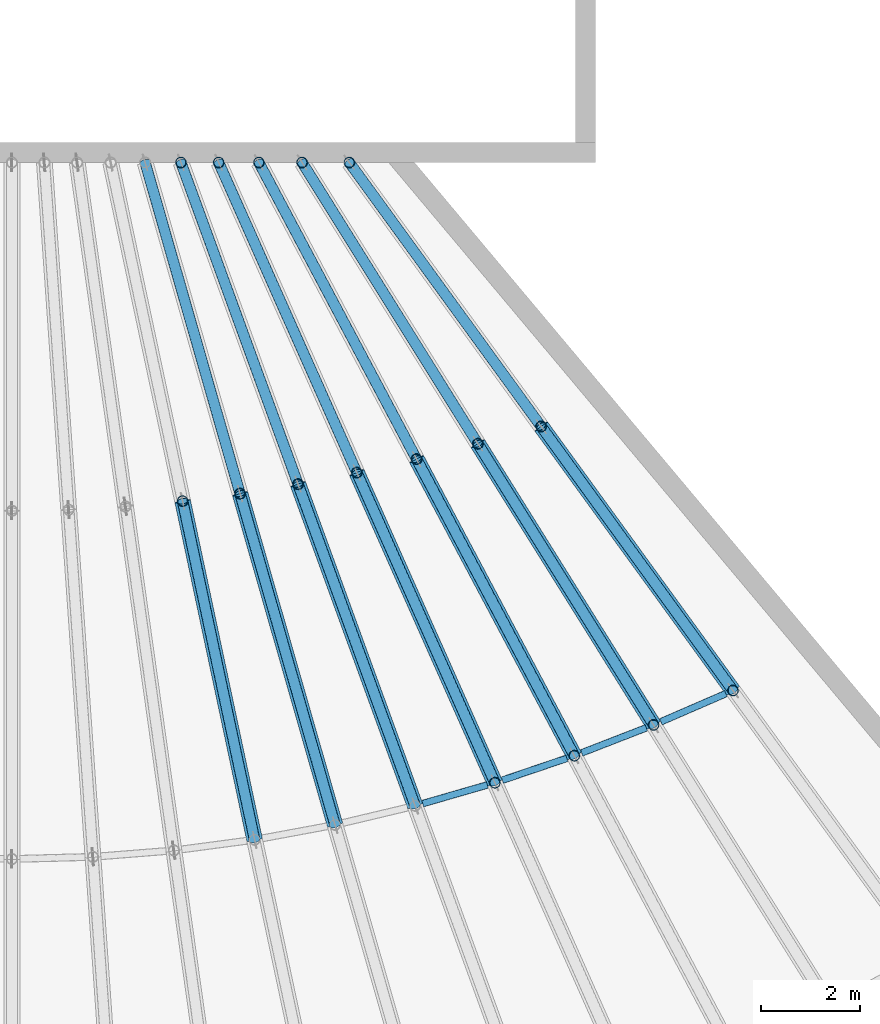
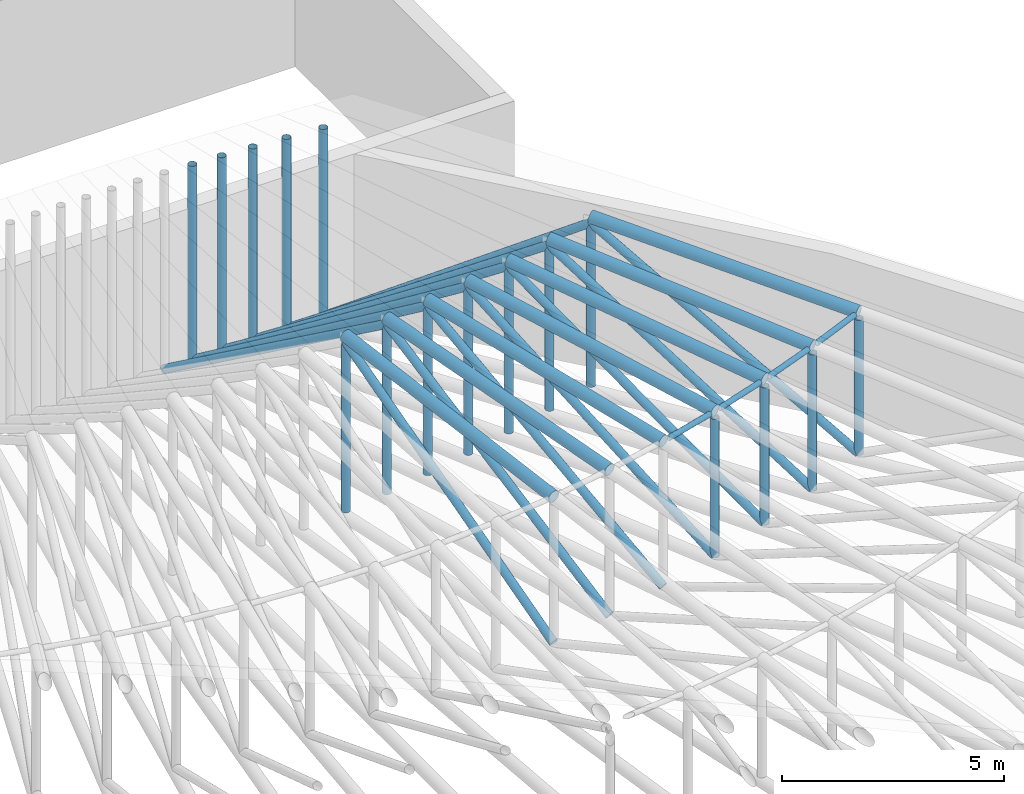
# One storey, part 44 of 163: 40 members.
"""IFC4 building model written with IfcOpenShell, lengths in metres."""

from ifc_helpers import new_model, si_unit, direction, frame, origin, origin_2d, place, context, subcontext, project, spatial, hollow_circle, extrude, material, material_profile, profile_set, type_object, element, save


model = new_model("IFC4")

# Units and contexts
model_context = context("Model", 3, precision=1e-05, world=origin(), true_north=direction((0.0, 1.0)))
body_context = subcontext(model_context, "Body", "Model", "MODEL_VIEW")
ifc_project = project(units=[si_unit("LENGTHUNIT", "METRE"), si_unit("AREAUNIT", "SQUARE_METRE"), si_unit("VOLUMEUNIT", "CUBIC_METRE"), si_unit("PLANEANGLEUNIT", "RADIAN"), si_unit("MASSUNIT", "GRAM", prefix="KILO")], contexts=[model_context])

# Site, building, storey
site_placement = place(None, origin())
site = spatial("IfcSite", under=ifc_project, at=site_placement, CompositionType="ELEMENT")
building_placement = place(site_placement, origin())
building = spatial("IfcBuilding", under=site, at=building_placement, Name="Rain Tree Exposition and Congress Centre", CompositionType="ELEMENT")
storey_placement = place(building_placement, frame((0.0, 0.0, 10.5)))
storey = spatial("IfcBuildingStorey", under=building, at=storey_placement, Name="L02", CompositionType="ELEMENT", Elevation=10.5)

# Members
ifc_material_1 = material(Name="Steel S355J2H", Category="steel")
ifc_material_profile_1 = material_profile(ifc_material_1, hollow_circle(Radius=0.108154296875, WallThickness=0.008056640625, at=origin_2d()), Name="CHS 216x8")
ifc_profile_set_1 = profile_set([ifc_material_profile_1], Name="Steel S355J2H")
member_type_1 = type_object("IfcMemberType", Name="Steel brace member CHS 216x8", PredefinedType="BRACE", material=ifc_profile_set_1)
member_1_placement = place(storey_placement, frame((206.506591796875, 44.11572265625, 0.318603515625), z_axis=(-0.173266889269, 0.815206035302, 0.552646093889), x_axis=(-0.978150163492, -0.207899633622, 0.0)))
element("IfcMember", 1, at=member_1_placement, inside=storey, type_object=member_type_1, Name="TD13-5", PredefinedType="BRACE", context=body_context, shape_type="SweptSolid", body=[
    extrude(hollow_circle(Radius=0.108154296875, WallThickness=0.008056640625, at=origin_2d()), origin(), (0.0, 0.0, 1.0), 8.3994140625),
])
for number, where, z_axis, x_axis, name in (
    (2, (208.1328125, 44.4169921875, 0.318603515625), (-0.229607032043, 0.800749050464, 0.553246390876), (-0.961262988359, -0.275632848571, 0.0), "TD14-5"),
    (3, (206.212646484375, 51.113525390625, 4.9453125), (-0.229607032043, 0.800749050464, -0.553246390876), (-0.961262988359, -0.275632848571, 0.0), "TD14-6"),
):
    element("IfcMember", number, at=place(storey_placement, frame(where, z_axis=z_axis, x_axis=x_axis)), inside=storey, type_object=member_type_1, Name=name, PredefinedType="BRACE", context=body_context, shape_type="SweptSolid", body=[
        extrude(hollow_circle(Radius=0.108154296875, WallThickness=0.008056640625, at=origin_2d()), origin(), (0.0, 0.0, 1.0), 8.36279296875),
    ])
member_2_placement = place(storey_placement, frame((209.752197265625, 44.802001953125, 0.318603515625), z_axis=(-0.28471612759, 0.782264607983, 0.554074733034), x_axis=(-0.939694514478, -0.342014940405, 0.0)))
element("IfcMember", 4, at=member_2_placement, inside=storey, type_object=member_type_1, Name="TD15-5", PredefinedType="BRACE", context=body_context, shape_type="SweptSolid", body=[
    extrude(hollow_circle(Radius=0.108154296875, WallThickness=0.008056640625, at=origin_2d()), origin(), (0.0, 0.0, 1.0), 8.314208984375),
])
member_3_placement = place(storey_placement, frame((207.385009765625, 51.305908203125, 4.92529296875), z_axis=(-0.284736570653, 0.782269462594, -0.554057373586), x_axis=(-0.939687304086, -0.342034750487, 0.0)))
element("IfcMember", 5, at=member_3_placement, inside=storey, type_object=member_type_1, Name="TD15-6", PredefinedType="BRACE", context=body_context, shape_type="SweptSolid", body=[
    extrude(hollow_circle(Radius=0.108154296875, WallThickness=0.008056640625, at=origin_2d()), origin(), (0.0, 0.0, 1.0), 8.314453125),
])
member_4_placement = place(storey_placement, frame((211.364501953125, 45.268310546875, 0.318603515625), z_axis=(-0.338319081518, 0.759886667356, 0.555078779864), x_axis=(-0.913547360783, -0.406732368524, 0.0)))
element("IfcMember", 6, at=member_4_placement, inside=storey, type_object=member_type_1, Name="TD16-5", PredefinedType="BRACE", context=body_context, shape_type="SweptSolid", body=[
    extrude(hollow_circle(Radius=0.108154296875, WallThickness=0.008056640625, at=origin_2d()), origin(), (0.0, 0.0, 1.0), 8.25244140625),
])
member_5_placement = place(storey_placement, frame((208.572509765625, 51.539306640625, 4.8994140625), z_axis=(-0.338300488748, 0.759881771184, -0.5550968142), x_axis=(-0.913554692478, -0.406715900661, 0.0)))
element("IfcMember", 7, at=member_5_placement, inside=storey, type_object=member_type_1, Name="TD16-6", PredefinedType="BRACE", context=body_context, shape_type="SweptSolid", body=[
    extrude(hollow_circle(Radius=0.108154296875, WallThickness=0.008056640625, at=origin_2d()), origin(), (0.0, 0.0, 1.0), 8.252197265625),
])
member_6_placement = place(storey_placement, frame((212.970947265625, 45.814208984375, 0.318603515625), z_axis=(-0.390074757454, 0.733652317132, 0.556413480393), x_axis=(-0.882955125335, -0.469457395984, 0.0)))
element("IfcMember", 8, at=member_6_placement, inside=storey, type_object=member_type_1, Name="TD17-5", PredefinedType="BRACE", context=body_context, shape_type="SweptSolid", body=[
    extrude(hollow_circle(Radius=0.108154296875, WallThickness=0.008056640625, at=origin_2d()), origin(), (0.0, 0.0, 1.0), 8.17529296875),
])
member_7_placement = place(storey_placement, frame((209.781982421875, 51.81201171875, 4.867431640625), z_axis=(-0.390091529871, 0.73365755997, -0.556394808587), x_axis=(-0.882948148784, -0.469470517241, 0.0)))
element("IfcMember", 9, at=member_7_placement, inside=storey, type_object=member_type_1, Name="TD17-6", PredefinedType="BRACE", context=body_context, shape_type="SweptSolid", body=[
    extrude(hollow_circle(Radius=0.108154296875, WallThickness=0.008056640625, at=origin_2d()), origin(), (0.0, 0.0, 1.0), 8.175537109375),
])
member_8_placement = place(storey_placement, frame((214.57421875, 46.436767578125, 0.318603515625), z_axis=(-0.439724559817, 0.70372849026, 0.558039894174), x_axis=(-0.848055572796, -0.529907298921, 0.0)))
element("IfcMember", 10, at=member_8_placement, inside=storey, type_object=member_type_1, Name="TD18-5", PredefinedType="BRACE", context=body_context, shape_type="SweptSolid", body=[
    extrude(hollow_circle(Radius=0.108154296875, WallThickness=0.008056640625, at=origin_2d()), origin(), (0.0, 0.0, 1.0), 8.08056640625),
])
member_9_placement = place(storey_placement, frame((211.02099609375, 52.123291015625, 4.827880859375), z_axis=(-0.439739581085, 0.703734391084, -0.558020615778), x_axis=(-0.848049434763, -0.52991712201, 0.0)))
element("IfcMember", 11, at=member_9_placement, inside=storey, type_object=member_type_1, Name="TD18-6", PredefinedType="BRACE", context=body_context, shape_type="SweptSolid", body=[
    extrude(hollow_circle(Radius=0.108154296875, WallThickness=0.008056640625, at=origin_2d()), origin(), (0.0, 0.0, 1.0), 8.080810546875),
])
member_10_placement = place(storey_placement, frame((216.179443359375, 47.133056640625, 0.318603515625), z_axis=(-0.48694084502, 0.670229461701, 0.56007239007), x_axis=(-0.809022368393, -0.58777785552, 0.0)))
element("IfcMember", 12, at=member_10_placement, inside=storey, type_object=member_type_1, Name="TD19-5", PredefinedType="BRACE", context=body_context, shape_type="SweptSolid", body=[
    extrude(hollow_circle(Radius=0.108154296875, WallThickness=0.008056640625, at=origin_2d()), origin(), (0.0, 0.0, 1.0), 7.96533203125),
])
member_11_placement = place(storey_placement, frame((212.30078125, 52.4716796875, 4.77978515625), z_axis=(-0.486950848186, 0.670212579243, -0.560083895569), x_axis=(-0.80900958585, -0.587795449117, 0.0)))
element("IfcMember", 13, at=member_11_placement, inside=storey, type_object=member_type_1, Name="TD19-6", PredefinedType="BRACE", context=body_context, shape_type="SweptSolid", body=[
    extrude(hollow_circle(Radius=0.108154296875, WallThickness=0.008056640625, at=origin_2d()), origin(), (0.0, 0.0, 1.0), 7.965087890625),
])
ifc_material_2 = material(Name="Steel S355J2H", Category="steel")
ifc_material_profile_2 = material_profile(ifc_material_2, hollow_circle(Radius=0.1591796875, WallThickness=0.010009765625, at=origin_2d()), Name="CHS 318x10")
ifc_profile_set_2 = profile_set([ifc_material_profile_2], Name="Steel S355J2H")
member_type_2 = type_object("IfcMemberType", Name="Steel chord member CHS 318x10", PredefinedType="CHORD", material=ifc_profile_set_2)
member_12_placement = place(storey_placement, frame((206.506591796875, 44.11572265625, 4.333984375), z_axis=(-0.206596100399, 0.972017150106, 0.111806579414), x_axis=(-0.978150163492, -0.207899633622, 0.0)))
element("IfcMember", 14, at=member_12_placement, inside=storey, type_object=member_type_2, Name="TT13-5", PredefinedType="CHORD", context=body_context, shape_type="SweptSolid", body=[
    extrude(hollow_circle(Radius=0.1591796875, WallThickness=0.010009765625, at=origin_2d()), origin(), (0.0, 0.0, 1.0), 7.044189453125),
])
member_13_placement = place(storey_placement, frame((208.1328125, 44.4169921875, 4.322509765625), z_axis=(-0.273905113539, 0.955237553624, 0.111790898215), x_axis=(-0.961262988359, -0.275632848571, 0.0)))
element("IfcMember", 15, at=member_13_placement, inside=storey, type_object=member_type_2, Name="TT14-5", PredefinedType="CHORD", context=body_context, shape_type="SweptSolid", body=[
    extrude(hollow_circle(Radius=0.1591796875, WallThickness=0.010009765625, at=origin_2d()), origin(), (0.0, 0.0, 1.0), 7.01025390625),
])
member_14_placement = place(storey_placement, frame((209.752197265625, 44.802001953125, 4.3076171875), z_axis=(-0.339871402167, 0.933805090112, 0.111783199413), x_axis=(-0.939694514478, -0.342014940405, 0.0)))
element("IfcMember", 16, at=member_14_placement, inside=storey, type_object=member_type_2, Name="TT15-5", PredefinedType="CHORD", context=body_context, shape_type="SweptSolid", body=[
    extrude(hollow_circle(Radius=0.1591796875, WallThickness=0.010009765625, at=origin_2d()), origin(), (0.0, 0.0, 1.0), 6.96484375),
])
member_15_placement = place(storey_placement, frame((211.364501953125, 45.268310546875, 4.2880859375), z_axis=(-0.404182909881, 0.907821110808, 0.11179000909), x_axis=(-0.913547360783, -0.406732368524, 0.0)))
element("IfcMember", 17, at=member_15_placement, inside=storey, type_object=member_type_2, Name="TT16-5", PredefinedType="CHORD", context=body_context, shape_type="SweptSolid", body=[
    extrude(hollow_circle(Radius=0.1591796875, WallThickness=0.010009765625, at=origin_2d()), origin(), (0.0, 0.0, 1.0), 6.90771484375),
])
member_16_placement = place(storey_placement, frame((212.970947265625, 45.814208984375, 4.26416015625), z_axis=(-0.466514807022, 0.877420706179, 0.111789262439), x_axis=(-0.882955125335, -0.469457395984, 0.0)))
element("IfcMember", 18, at=member_16_placement, inside=storey, type_object=member_type_2, Name="TT17-5", PredefinedType="CHORD", context=body_context, shape_type="SweptSolid", body=[
    extrude(hollow_circle(Radius=0.1591796875, WallThickness=0.010009765625, at=origin_2d()), origin(), (0.0, 0.0, 1.0), 6.835693359375),
])
member_17_placement = place(storey_placement, frame((214.57421875, 46.436767578125, 4.234619140625), z_axis=(-0.526585121644, 0.842738810866, 0.111800743842), x_axis=(-0.848055572796, -0.529907298921, 0.0)))
element("IfcMember", 19, at=member_17_placement, inside=storey, type_object=member_type_2, Name="TT18-5", PredefinedType="CHORD", context=body_context, shape_type="SweptSolid", body=[
    extrude(hollow_circle(Radius=0.1591796875, WallThickness=0.010009765625, at=origin_2d()), origin(), (0.0, 0.0, 1.0), 6.74755859375),
])
member_18_placement = place(storey_placement, frame((216.179443359375, 47.133056640625, 4.198486328125), z_axis=(-0.584092669879, 0.80395004798, 0.11180372689), x_axis=(-0.809022368393, -0.58777785552, 0.0)))
element("IfcMember", 20, at=member_18_placement, inside=storey, type_object=member_type_2, Name="TT19-5", PredefinedType="CHORD", context=body_context, shape_type="SweptSolid", body=[
    extrude(hollow_circle(Radius=0.1591796875, WallThickness=0.010009765625, at=origin_2d()), origin(), (0.0, 0.0, 1.0), 6.640380859375),
])
ifc_material_3 = material(Name="Steel S355J2H", Category="steel")
ifc_material_profile_3 = material_profile(ifc_material_3, hollow_circle(Radius=0.108154296875, WallThickness=0.008056640625, at=origin_2d()), Name="CHS 216x8")
ifc_profile_set_3 = profile_set([ifc_material_profile_3], Name="Steel S355J2H")
member_type_3 = type_object("IfcMemberType", Name="Steel post member CHS 216x8", PredefinedType="POST", material=ifc_profile_set_3)
member_19_placement = place(storey_placement, frame((205.05126953125, 50.962890625, 0.318603515625), z_axis=(0.0, 0.0, 1.0), x_axis=(1.0, 0.0, 0.0)))
element("IfcMember", 21, at=member_19_placement, inside=storey, type_object=member_type_3, Name="TP13-5", PredefinedType="POST", context=body_context, shape_type="SweptSolid", body=[
    extrude(hollow_circle(Radius=0.108154296875, WallThickness=0.008056640625, at=origin_2d()), origin(), (0.0, 0.0, 1.0), 4.641845703125),
])
member_20_placement = place(storey_placement, frame((206.212646484375, 51.113525390625, 0.318603515625), z_axis=(0.0, 0.0, 1.0), x_axis=(1.0, 0.0, 0.0)))
element("IfcMember", 22, at=member_20_placement, inside=storey, type_object=member_type_3, Name="TP14-5", PredefinedType="POST", context=body_context, shape_type="SweptSolid", body=[
    extrude(hollow_circle(Radius=0.108154296875, WallThickness=0.008056640625, at=origin_2d()), origin(), (0.0, 0.0, 1.0), 4.626708984375),
])
member_21_placement = place(storey_placement, frame((207.385009765625, 51.305908203125, 0.318603515625), z_axis=(0.0, 0.0, 1.0), x_axis=(1.0, 0.0, 0.0)))
element("IfcMember", 23, at=member_21_placement, inside=storey, type_object=member_type_3, Name="TP15-5", PredefinedType="POST", context=body_context, shape_type="SweptSolid", body=[
    extrude(hollow_circle(Radius=0.108154296875, WallThickness=0.008056640625, at=origin_2d()), origin(), (0.0, 0.0, 1.0), 4.606689453125),
])
member_22_placement = place(storey_placement, frame((205.017578125, 57.81005859375, 0.318603515625), z_axis=(0.0, 0.0, 1.0), x_axis=(1.0, 0.0, 0.0)))
element("IfcMember", 24, at=member_22_placement, inside=storey, type_object=member_type_3, Name="TP15-6", PredefinedType="POST", context=body_context, shape_type="SweptSolid", body=[
    extrude(hollow_circle(Radius=0.108154296875, WallThickness=0.008056640625, at=origin_2d()), origin(), (0.0, 0.0, 1.0), 5.38525390625),
])
member_23_placement = place(storey_placement, frame((211.364501953125, 45.268310546875, 0.318603515625), z_axis=(0.0, 0.0, 1.0), x_axis=(1.0, 0.0, 0.0)))
element("IfcMember", 25, at=member_23_placement, inside=storey, type_object=member_type_3, Name="TP16-4", PredefinedType="POST", context=body_context, shape_type="SweptSolid", body=[
    extrude(hollow_circle(Radius=0.108154296875, WallThickness=0.008056640625, at=origin_2d()), origin(), (0.0, 0.0, 1.0), 3.80859375),
])
member_24_placement = place(storey_placement, frame((208.572509765625, 51.539306640625, 0.318603515625), z_axis=(0.0, 0.0, 1.0), x_axis=(1.0, 0.0, 0.0)))
element("IfcMember", 26, at=member_24_placement, inside=storey, type_object=member_type_3, Name="TP16-5", PredefinedType="POST", context=body_context, shape_type="SweptSolid", body=[
    extrude(hollow_circle(Radius=0.108154296875, WallThickness=0.008056640625, at=origin_2d()), origin(), (0.0, 0.0, 1.0), 4.580810546875),
])
member_25_placement = place(storey_placement, frame((205.78076171875, 57.81005859375, 0.318603515625), z_axis=(0.0, 0.0, 1.0), x_axis=(1.0, 0.0, 0.0)))
element("IfcMember", 27, at=member_25_placement, inside=storey, type_object=member_type_3, Name="TP16-6", PredefinedType="POST", context=body_context, shape_type="SweptSolid", body=[
    extrude(hollow_circle(Radius=0.108154296875, WallThickness=0.008056640625, at=origin_2d()), origin(), (0.0, 0.0, 1.0), 5.35302734375),
])
member_26_placement = place(storey_placement, frame((212.970947265625, 45.814208984375, 0.318603515625), z_axis=(0.0, 0.0, 1.0), x_axis=(1.0, 0.0, 0.0)))
element("IfcMember", 28, at=member_26_placement, inside=storey, type_object=member_type_3, Name="TP17-4", PredefinedType="POST", context=body_context, shape_type="SweptSolid", body=[
    extrude(hollow_circle(Radius=0.108154296875, WallThickness=0.008056640625, at=origin_2d()), origin(), (0.0, 0.0, 1.0), 3.784423828125),
])
member_27_placement = place(storey_placement, frame((209.781982421875, 51.81201171875, 0.318603515625), z_axis=(0.0, 0.0, 1.0), x_axis=(1.0, 0.0, 0.0)))
element("IfcMember", 29, at=member_27_placement, inside=storey, type_object=member_type_3, Name="TP17-5", PredefinedType="POST", context=body_context, shape_type="SweptSolid", body=[
    extrude(hollow_circle(Radius=0.108154296875, WallThickness=0.008056640625, at=origin_2d()), origin(), (0.0, 0.0, 1.0), 4.548828125),
])
member_28_placement = place(storey_placement, frame((206.5927734375, 57.81005859375, 0.318603515625), z_axis=(0.0, 0.0, 1.0), x_axis=(1.0, 0.0, 0.0)))
element("IfcMember", 30, at=member_28_placement, inside=storey, type_object=member_type_3, Name="TP17-6", PredefinedType="POST", context=body_context, shape_type="SweptSolid", body=[
    extrude(hollow_circle(Radius=0.108154296875, WallThickness=0.008056640625, at=origin_2d()), origin(), (0.0, 0.0, 1.0), 5.31298828125),
])
member_29_placement = place(storey_placement, frame((214.57421875, 46.436767578125, 0.318603515625), z_axis=(0.0, 0.0, 1.0), x_axis=(1.0, 0.0, 0.0)))
element("IfcMember", 31, at=member_29_placement, inside=storey, type_object=member_type_3, Name="TP18-4", PredefinedType="POST", context=body_context, shape_type="SweptSolid", body=[
    extrude(hollow_circle(Radius=0.108154296875, WallThickness=0.008056640625, at=origin_2d()), origin(), (0.0, 0.0, 1.0), 3.7548828125),
])
member_30_placement = place(storey_placement, frame((211.02099609375, 52.123291015625, 0.318603515625), z_axis=(0.0, 0.0, 1.0), x_axis=(1.0, 0.0, 0.0)))
element("IfcMember", 32, at=member_30_placement, inside=storey, type_object=member_type_3, Name="TP18-5", PredefinedType="POST", context=body_context, shape_type="SweptSolid", body=[
    extrude(hollow_circle(Radius=0.108154296875, WallThickness=0.008056640625, at=origin_2d()), origin(), (0.0, 0.0, 1.0), 4.50927734375),
])
member_31_placement = place(storey_placement, frame((207.467529296875, 57.81005859375, 0.318603515625), z_axis=(0.0, 0.0, 1.0), x_axis=(1.0, 0.0, 0.0)))
element("IfcMember", 33, at=member_31_placement, inside=storey, type_object=member_type_3, Name="TP18-6", PredefinedType="POST", context=body_context, shape_type="SweptSolid", body=[
    extrude(hollow_circle(Radius=0.108154296875, WallThickness=0.008056640625, at=origin_2d()), origin(), (0.0, 0.0, 1.0), 5.263671875),
])
member_32_placement = place(storey_placement, frame((216.179443359375, 47.133056640625, 0.318603515625), z_axis=(0.0, 0.0, 1.0), x_axis=(1.0, 0.0, 0.0)))
element("IfcMember", 34, at=member_32_placement, inside=storey, type_object=member_type_3, Name="TP19-4", PredefinedType="POST", context=body_context, shape_type="SweptSolid", body=[
    extrude(hollow_circle(Radius=0.108154296875, WallThickness=0.008056640625, at=origin_2d()), origin(), (0.0, 0.0, 1.0), 3.718994140625),
])
member_33_placement = place(storey_placement, frame((212.30078125, 52.4716796875, 0.318603515625), z_axis=(0.0, 0.0, 1.0), x_axis=(1.0, 0.0, 0.0)))
element("IfcMember", 35, at=member_33_placement, inside=storey, type_object=member_type_3, Name="TP19-5", PredefinedType="POST", context=body_context, shape_type="SweptSolid", body=[
    extrude(hollow_circle(Radius=0.108154296875, WallThickness=0.008056640625, at=origin_2d()), origin(), (0.0, 0.0, 1.0), 4.461181640625),
])
member_34_placement = place(storey_placement, frame((208.422119140625, 57.81005859375, 0.318603515625), z_axis=(0.0, 0.0, 1.0), x_axis=(1.0, 0.0, 0.0)))
element("IfcMember", 36, at=member_34_placement, inside=storey, type_object=member_type_3, Name="TP19-6", PredefinedType="POST", context=body_context, shape_type="SweptSolid", body=[
    extrude(hollow_circle(Radius=0.108154296875, WallThickness=0.008056640625, at=origin_2d()), origin(), (0.0, 0.0, 1.0), 5.20361328125),
])
ifc_material_4 = material(Name="Steel S355J2H", Category="steel")
ifc_material_profile_4 = material_profile(ifc_material_4, hollow_circle(Radius=0.06982421875, WallThickness=0.0048828125, at=origin_2d()), Name="CHS 140x5")
ifc_profile_set_4 = profile_set([ifc_material_profile_4], Name="Steel S355J2H")
member_type_4 = type_object("IfcMemberType", Name="Steel purlin member CHS 140x5", PredefinedType="PURLIN", material=ifc_profile_set_4)
member_35_placement = place(storey_placement, frame((209.9052734375, 44.84619140625, 4.3056640625), z_axis=(0.960547541841, 0.277878451648, -0.011488514797), x_axis=(-0.277896791493, 0.960610937517, 0.0)))
element("IfcMember", 37, at=member_35_placement, inside=storey, type_object=member_type_4, Name="PU15-4", PredefinedType="PURLIN", context=body_context, shape_type="SweptSolid", body=[
    extrude(hollow_circle(Radius=0.06982421875, WallThickness=0.0048828125, at=origin_2d()), origin(), (0.0, 0.0, 1.0), 1.360107421875),
])
member_36_placement = place(storey_placement, frame((211.515380859375, 45.319580078125, 4.285888671875), z_axis=(0.946747841764, 0.32166400012, -0.01417022027), x_axis=(-0.321696299269, 0.946842907264, 0.0)))
element("IfcMember", 38, at=member_36_placement, inside=storey, type_object=member_type_4, Name="PU16-4", PredefinedType="PURLIN", context=body_context, shape_type="SweptSolid", body=[
    extrude(hollow_circle(Radius=0.06982421875, WallThickness=0.0048828125, at=origin_2d()), origin(), (0.0, 0.0, 1.0), 1.37841796875),
])
member_37_placement = place(storey_placement, frame((213.119384765625, 45.871826171875, 4.261474609375), z_axis=(0.932039235101, 0.361946838075, -0.017243858022), x_axis=(-0.362000662641, 0.932177837243, 0.0)))
element("IfcMember", 39, at=member_37_placement, inside=storey, type_object=member_type_4, Name="PU17-4", PredefinedType="PURLIN", context=body_context, shape_type="SweptSolid", body=[
    extrude(hollow_circle(Radius=0.06982421875, WallThickness=0.0048828125, at=origin_2d()), origin(), (0.0, 0.0, 1.0), 1.401611328125),
])
member_38_placement = place(storey_placement, frame((214.720458984375, 46.500244140625, 4.231201171875), z_axis=(0.917240923923, 0.397806552834, -0.020470320043), x_axis=(-0.397889926273, 0.917433161909, 0.0)))
element("IfcMember", 40, at=member_38_placement, inside=storey, type_object=member_type_4, Name="PU18-4", PredefinedType="PURLIN", context=body_context, shape_type="SweptSolid", body=[
    extrude(hollow_circle(Radius=0.06982421875, WallThickness=0.0048828125, at=origin_2d()), origin(), (0.0, 0.0, 1.0), 1.43115234375),
])

save(model, "model.ifc")
